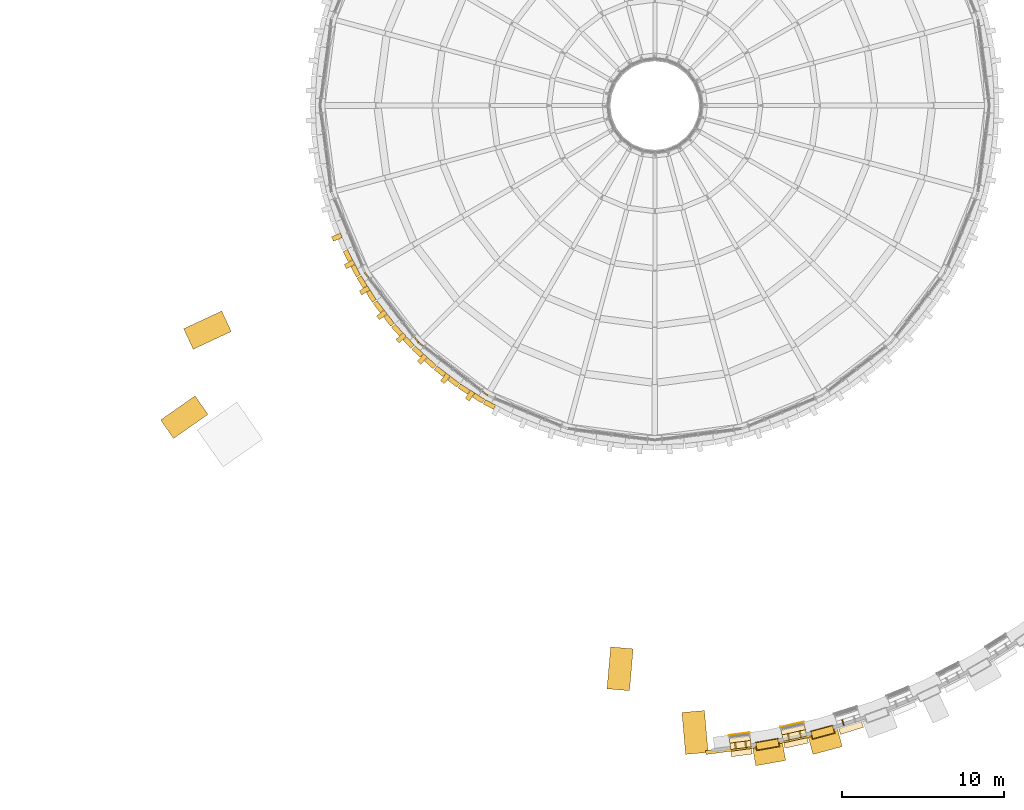
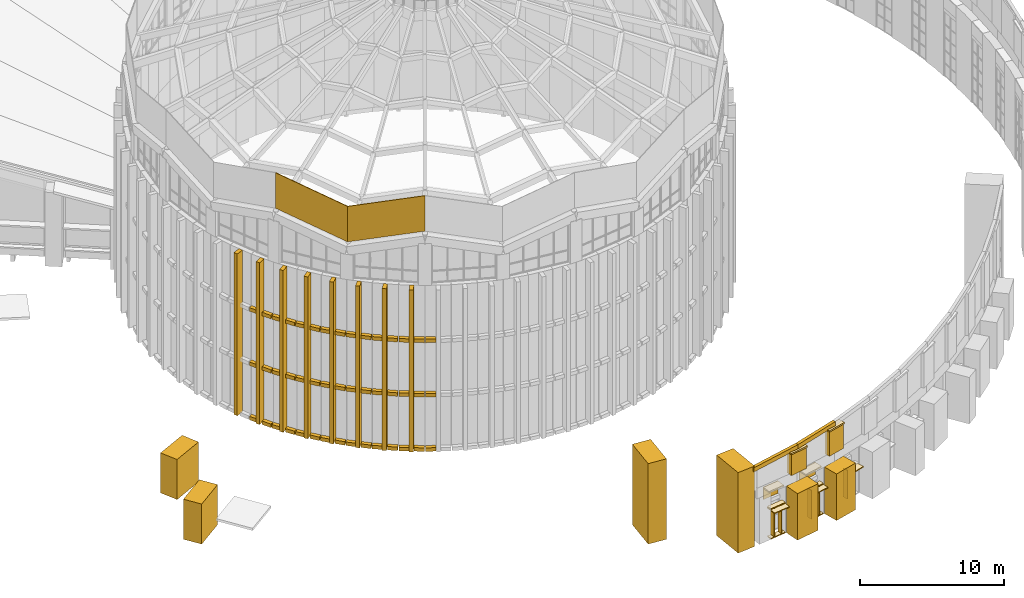
# One storey, part 63 of 82: 83 coverings.
"""IFC4 building model written with IfcOpenShell, lengths in metres."""

from ifc_helpers import new_model, si_unit, direction, frame, origin, origin_2d, place, context, subcontext, project, spatial, polyline, rectangle, outline, extrude, material, layer, layer_set, type_object, element, save


model = new_model("IFC4")

# Units and contexts
model_context = context("Model", 3, precision=1e-05, world=origin(), true_north=direction((0.0, 1.0)))
body_context = subcontext(model_context, "Body", "Model", "MODEL_VIEW")
ifc_project = project(units=[si_unit("LENGTHUNIT", "METRE"), si_unit("AREAUNIT", "SQUARE_METRE"), si_unit("VOLUMEUNIT", "CUBIC_METRE"), si_unit("PLANEANGLEUNIT", "RADIAN"), si_unit("MASSUNIT", "GRAM", prefix="KILO")], contexts=[model_context])

# Site, building, storey
site_placement = place(None, origin())
site = spatial("IfcSite", under=ifc_project, at=site_placement, CompositionType="ELEMENT")
building_placement = place(site_placement, origin())
building = spatial("IfcBuilding", under=site, at=building_placement, Name="Volute Hill Aquarium", CompositionType="ELEMENT")
storey_placement = place(building_placement, frame((0.0, 0.0, 13.800048828125)))
storey = spatial("IfcBuildingStorey", under=building, at=storey_placement, Name="L04", CompositionType="ELEMENT", Elevation=13.800048828125)

# Coverings
ifc_material_1 = material(Name="Precast concrete C40/50", Category="concrete")
covering_type_1 = type_object("IfcCoveringType", Name="Crown coping beam precast concrete C40/50 250x350", PredefinedType="CLADDING", material=ifc_material_1)
covering_1_placement = place(storey_placement, frame((6.995849609375, -39.643798828125, 6.75390625), z_axis=(0.216391405003, -0.976306693535, 0.0), x_axis=(0.972934180126, 0.215643911495, 0.083046881804)))
element("IfcCovering", 1, at=covering_1_placement, inside=storey, type_object=covering_type_1, Name="Crown coping beam PCB S3 b01", PredefinedType="CLADDING", context=body_context, shape_type="SweptSolid", body=[
    extrude(outline(polyline([(0.0, 0.0), (3.5130523932839473, -5.551115123125783e-17), (3.5421269119622676, 0.3488882934054497), (0.02905424356069266, 0.3486449961297137), (0.0, 0.0)])), origin(), (0.0, 0.0, -1.0), 0.25),
])
covering_2_placement = place(storey_placement, frame((6.952392578125, -39.397705078125, 6.75390625), z_axis=(-0.130531588136, 0.991444150973, 0.0), x_axis=(-0.988011665864, -0.130079673893, -0.083139801284)))
element("IfcCovering", 2, at=covering_2_placement, inside=storey, type_object=covering_type_1, Name="Crown coping beam PCB S3 bea", PredefinedType="CLADDING", context=body_context, shape_type="SweptSolid", body=[
    extrude(outline(polyline([(0.0, 0.0), (3.864443473992809, 0.0), (3.8353364244222816, 0.34888558092452326), (-0.02908675176747961, 0.348642285540336), (0.0, 0.0)])), origin(), (0.0, 0.0, -1.0), 0.25),
])
ifc_material_2 = material(Name="Precast pale concrete C40/50", Category="concrete")
covering_type_2 = type_object("IfcCoveringType", Name="Drum pier fin 300x600", PredefinedType="CLADDING", material=ifc_material_2)
for number, where, z_axis, x_axis, name in (
    (3, (-19.660400390625, -8.1435546875, 0.0), (0.0, 0.0, 1.0), (0.382683432365, -0.923879532511, 0.0), "Drum pier fin DF 41 L04"),
    (4, (-18.8759765625, -9.826171875, 0.0), (0.0, 0.0, 1.0), (0.461748613235, -0.887010833178, 0.0), "Drum pier fin DF 42 L04"),
    (5, (-17.947509765625, -11.433837890625, 0.0), (0.0, 0.0, 1.0), (0.537299608347, -0.843391445813, 0.0), "Drum pier fin DF 43 L04"),
    (6, (-16.8828125, -12.95458984375, 0.0), (0.0, 0.0, 1.0), (0.608761429009, -0.793353340291, 0.0), "Drum pier fin DF 44 L04"),
    (7, (-15.689453125, -14.376708984375, 0.0), (0.0, 0.0, 1.0), (0.675590207616, -0.73727733681, 0.0), "Drum pier fin DF 45 L04"),
    (8, (-14.376708984375, -15.689453125, 0.0), (0.0, 0.0, 1.0), (0.73727733681, -0.675590207616, 0.0), "Drum pier fin DF 46 L04"),
    (9, (-12.95458984375, -16.8828125, 0.0), (0.0, 0.0, 1.0), (0.793353340291, -0.608761429009, 0.0), "Drum pier fin DF 47 L04"),
    (10, (-11.433837890625, -17.947509765625, 0.0), (0.0, 0.0, 1.0), (0.843391445813, -0.537299608347, 0.0), "Drum pier fin DF 48 L04"),
):
    element("IfcCovering", number, at=place(storey_placement, frame(where, z_axis=z_axis, x_axis=x_axis)), inside=storey, type_object=covering_type_2, Name=name, PredefinedType="CLADDING", context=body_context, shape_type="SweptSolid", body=[
        extrude(rectangle(XDim=0.300048828125, YDim=0.60009765625, at=origin_2d()), origin(), (0.0, 0.0, 1.0), 13.699951171875),
    ])
ifc_material_3 = material(Name="Precast concrete C40/50", Category="concrete")
covering_type_3 = type_object("IfcCoveringType", Name="Drum string course precast concrete C40/50 715x300", PredefinedType="CLADDING", material=ifc_material_3)
for number, where, z_axis, x_axis, name in (
    (11, (-18.986328125, -9.2890625, -0.14990234375), (0.0, 0.0, 1.0), (0.461748613235, -0.887010833178, 0.0), "Drum string course DSC 42.1"),
    (12, (-18.499267578125, -10.224853515625, -0.14990234375), (0.0, 0.0, 1.0), (0.461748613235, -0.887010833178, 0.0), "Drum string course DSC 42.1"),
    (13, (-18.986328125, -9.2890625, 4.44970703125), (0.0, 0.0, 1.0), (0.461748613235, -0.887010833178, 0.0), "Drum string course DSC 42.2"),
    (14, (-18.499267578125, -10.224853515625, 4.44970703125), (0.0, 0.0, 1.0), (0.461748613235, -0.887010833178, 0.0), "Drum string course DSC 42.2"),
    (15, (-18.986328125, -9.2890625, 9.0498046875), (0.0, 0.0, 1.0), (0.461748613235, -0.887010833178, 0.0), "Drum string course DSC 42.3"),
    (16, (-18.499267578125, -10.224853515625, 9.0498046875), (0.0, 0.0, 1.0), (0.461748613235, -0.887010833178, 0.0), "Drum string course DSC 42.3"),
    (17, (-18.1044921875, -10.908447265625, -0.14990234375), (0.0, 0.0, 1.0), (0.537299608347, -0.843391445813, 0.0), "Drum string course DSC 43.1"),
    (18, (-17.53759765625, -11.798095703125, -0.14990234375), (0.0, 0.0, 1.0), (0.537299608347, -0.843391445813, 0.0), "Drum string course DSC 43.1"),
    (19, (-18.1044921875, -10.908447265625, 4.44970703125), (0.0, 0.0, 1.0), (0.537299608347, -0.843391445813, 0.0), "Drum string course DSC 43.2"),
    (20, (-17.53759765625, -11.798095703125, 4.44970703125), (0.0, 0.0, 1.0), (0.537299608347, -0.843391445813, 0.0), "Drum string course DSC 43.2"),
    (21, (-18.1044921875, -10.908447265625, 9.0498046875), (0.0, 0.0, 1.0), (0.537299608347, -0.843391445813, 0.0), "Drum string course DSC 43.3"),
    (22, (-17.53759765625, -11.798095703125, 9.0498046875), (0.0, 0.0, 1.0), (0.537299608347, -0.843391445813, 0.0), "Drum string course DSC 43.3"),
    (23, (-17.0849609375, -12.44482421875, -0.14990234375), (0.0, 0.0, 1.0), (0.608761429009, -0.793353340291, 0.0), "Drum string course DSC 44.1"),
    (24, (-16.442626953125, -13.28173828125, -0.14990234375), (0.0, 0.0, 1.0), (0.608761429009, -0.793353340291, 0.0), "Drum string course DSC 44.1"),
    (25, (-17.0849609375, -12.44482421875, 4.44970703125), (0.0, 0.0, 1.0), (0.608761429009, -0.793353340291, 0.0), "Drum string course DSC 44.2"),
    (26, (-16.442626953125, -13.28173828125, 4.44970703125), (0.0, 0.0, 1.0), (0.608761429009, -0.793353340291, 0.0), "Drum string course DSC 44.2"),
    (27, (-17.0849609375, -12.44482421875, 9.0498046875), (0.0, 0.0, 1.0), (0.608761429009, -0.793353340291, 0.0), "Drum string course DSC 44.3"),
    (28, (-16.442626953125, -13.28173828125, 9.0498046875), (0.0, 0.0, 1.0), (0.608761429009, -0.793353340291, 0.0), "Drum string course DSC 44.3"),
    (29, (-15.935302734375, -13.886474609375, -0.14990234375), (0.0, 0.0, 1.0), (0.675590207616, -0.73727733681, 0.0), "Drum string course DSC 45.1"),
    (30, (-15.22265625, -14.664306640625, -0.14990234375), (0.0, 0.0, 1.0), (0.675590207616, -0.73727733681, 0.0), "Drum string course DSC 45.1"),
    (31, (-15.935302734375, -13.886474609375, 4.44970703125), (0.0, 0.0, 1.0), (0.675590207616, -0.73727733681, 0.0), "Drum string course DSC 45.2"),
    (32, (-15.22265625, -14.664306640625, 4.44970703125), (0.0, 0.0, 1.0), (0.675590207616, -0.73727733681, 0.0), "Drum string course DSC 45.2"),
    (33, (-15.935302734375, -13.886474609375, 9.0498046875), (0.0, 0.0, 1.0), (0.675590207616, -0.73727733681, 0.0), "Drum string course DSC 45.3"),
    (34, (-15.22265625, -14.664306640625, 9.0498046875), (0.0, 0.0, 1.0), (0.675590207616, -0.73727733681, 0.0), "Drum string course DSC 45.3"),
    (35, (-14.664306640625, -15.22265625, -0.14990234375), (0.0, 0.0, 1.0), (0.73727733681, -0.675590207616, 0.0), "Drum string course DSC 46.1"),
    (36, (-13.886474609375, -15.935302734375, -0.14990234375), (0.0, 0.0, 1.0), (0.73727733681, -0.675590207616, 0.0), "Drum string course DSC 46.1"),
    (37, (-14.664306640625, -15.22265625, 4.44970703125), (0.0, 0.0, 1.0), (0.73727733681, -0.675590207616, 0.0), "Drum string course DSC 46.2"),
    (38, (-13.886474609375, -15.935302734375, 4.44970703125), (0.0, 0.0, 1.0), (0.73727733681, -0.675590207616, 0.0), "Drum string course DSC 46.2"),
    (39, (-14.664306640625, -15.22265625, 9.0498046875), (0.0, 0.0, 1.0), (0.73727733681, -0.675590207616, 0.0), "Drum string course DSC 46.3"),
    (40, (-13.886474609375, -15.935302734375, 9.0498046875), (0.0, 0.0, 1.0), (0.73727733681, -0.675590207616, 0.0), "Drum string course DSC 46.3"),
    (41, (-13.28173828125, -16.442626953125, -0.14990234375), (0.0, 0.0, 1.0), (0.793353340291, -0.608761429009, 0.0), "Drum string course DSC 47.1"),
    (42, (-12.44482421875, -17.0849609375, -0.14990234375), (0.0, 0.0, 1.0), (0.793353340291, -0.608761429009, 0.0), "Drum string course DSC 47.1"),
    (43, (-13.28173828125, -16.442626953125, 4.44970703125), (0.0, 0.0, 1.0), (0.793353340291, -0.608761429009, 0.0), "Drum string course DSC 47.2"),
    (44, (-12.44482421875, -17.0849609375, 4.44970703125), (0.0, 0.0, 1.0), (0.793353340291, -0.608761429009, 0.0), "Drum string course DSC 47.2"),
    (45, (-13.28173828125, -16.442626953125, 9.0498046875), (0.0, 0.0, 1.0), (0.793353340291, -0.608761429009, 0.0), "Drum string course DSC 47.3"),
    (46, (-12.44482421875, -17.0849609375, 9.0498046875), (0.0, 0.0, 1.0), (0.793353340291, -0.608761429009, 0.0), "Drum string course DSC 47.3"),
    (47, (-11.798095703125, -17.53759765625, -0.14990234375), (0.0, 0.0, 1.0), (0.843391445813, -0.537299608347, 0.0), "Drum string course DSC 48.1"),
    (48, (-10.908447265625, -18.1044921875, -0.14990234375), (0.0, 0.0, 1.0), (0.843391445813, -0.537299608347, 0.0), "Drum string course DSC 48.1"),
    (49, (-11.798095703125, -17.53759765625, 4.44970703125), (0.0, 0.0, 1.0), (0.843391445813, -0.537299608347, 0.0), "Drum string course DSC 48.2"),
    (50, (-10.908447265625, -18.1044921875, 4.44970703125), (0.0, 0.0, 1.0), (0.843391445813, -0.537299608347, 0.0), "Drum string course DSC 48.2"),
    (51, (-11.798095703125, -17.53759765625, 9.0498046875), (0.0, 0.0, 1.0), (0.843391445813, -0.537299608347, 0.0), "Drum string course DSC 48.3"),
    (52, (-10.908447265625, -18.1044921875, 9.0498046875), (0.0, 0.0, 1.0), (0.843391445813, -0.537299608347, 0.0), "Drum string course DSC 48.3"),
    (53, (-10.224853515625, -18.499267578125, -0.14990234375), (0.0, 0.0, 1.0), (0.887010833178, -0.461748613235, 0.0), "Drum string course DSC 49.1"),
    (54, (-10.224853515625, -18.499267578125, 4.44970703125), (0.0, 0.0, 1.0), (0.887010833178, -0.461748613235, 0.0), "Drum string course DSC 49.2"),
    (55, (-10.224853515625, -18.499267578125, 9.0498046875), (0.0, 0.0, 1.0), (0.887010833178, -0.461748613235, 0.0), "Drum string course DSC 49.3"),
):
    element("IfcCovering", number, at=place(storey_placement, frame(where, z_axis=z_axis, x_axis=x_axis)), inside=storey, type_object=covering_type_3, Name=name, PredefinedType="CLADDING", context=body_context, shape_type="SweptSolid", body=[
        extrude(rectangle(XDim=0.71484375, YDim=0.300048828125, at=origin_2d()), origin(), (0.0, 0.0, 1.0), 0.300048828125),
    ])
ifc_material_4 = material(Name="Zinc")
ifc_layer_1 = layer(ifc_material_4, 0.06005859375)
ifc_layer_set_1 = layer_set([ifc_layer_1], Name="Eave fascia zinc 60")
covering_type_4 = type_object("IfcCoveringType", Name="Eave fascia zinc 60", PredefinedType="CLADDING", material=ifc_layer_set_1)
covering_3_placement = place(storey_placement, frame((-17.950439453125, -10.368408203125, 18.099853515625), z_axis=(-0.793359055165, -0.608753981167, 0.0), x_axis=(0.58930025924, -0.768005978347, -0.250782817759)))
element("IfcCovering", 56, at=covering_3_placement, inside=storey, type_object=covering_type_4, Name="Eave fascia EF 15", PredefinedType="CLADDING", context=body_context, shape_type="SweptSolid", body=[
    extrude(outline(polyline([(0.0, 0.0), (5.582130212353714, -2.220446049250313e-16), (4.829781759077633, 2.9041301287740344), (-0.7523484532760814, 2.904130128774035), (0.0, 0.0)])), origin(), (0.0, 0.0, -1.0), 0.06005859375),
])
covering_4_placement = place(storey_placement, frame((-14.655517578125, -14.660888671875, 16.699951171875), z_axis=(-0.608753981167, -0.793359055165, 0.0), x_axis=(0.768005978347, -0.58930025924, 0.250782817759)))
element("IfcCovering", 57, at=covering_4_placement, inside=storey, type_object=covering_type_4, Name="Eave fascia EF 16", PredefinedType="CLADDING", context=body_context, shape_type="SweptSolid", body=[
    extrude(outline(polyline([(0.0, 0.0), (5.582130212353714, 2.220446049250313e-16), (6.3344786656297964, 2.9041301287740353), (0.7523484532760814, 2.904130128774035), (0.0, 0.0)])), origin(), (0.0, 0.0, -1.0), 0.06005859375),
])
ifc_material_5 = material(Name="Aluminium, anodised", Category="aluminium")
ifc_layer_2 = layer(ifc_material_5, 0.080078125)
ifc_layer_set_2 = layer_set([ifc_layer_2], Name="Horizontal brise-soleil eyebrow 900x80")
covering_type_5 = type_object("IfcCoveringType", Name="Horizontal brise-soleil eyebrow 900x80", PredefinedType="CLADDING", material=ifc_layer_set_2)
covering_5_placement = place(storey_placement, frame((5.3349609375, -39.756103515625, 2.4072265625), z_axis=(0.0, 0.0, 1.0), x_axis=(0.991446923126, 0.130510530703, 0.0)))
element("IfcCovering", 58, at=covering_5_placement, inside=storey, type_object=covering_type_5, Name="Brise-soleil eyebrow BS S3 L04 1.1", PredefinedType="CLADDING", context=body_context, shape_type="SweptSolid", body=[
    extrude(rectangle(XDim=1.2890625, YDim=0.89990234375, at=origin_2d()), origin(), (0.0, 0.0, 1.0), 0.080078125),
])
for number, where, z_axis, x_axis, name in (
    (59, (8.681884765625, -39.161376953125, 2.417236328125), (0.0, 0.0, 1.0), (0.976296993237, 0.216435165805, 0.0), "Brise-soleil eyebrow BS S3 L04 2.1"),
    (60, (12.06201171875, -38.255859375, 2.405029296875), (0.0, 0.0, 1.0), (0.953713922474, 0.300715403793, 0.0), "Brise-soleil eyebrow BS S3 L04 3.1"),
):
    element("IfcCovering", number, at=place(storey_placement, frame(where, z_axis=z_axis, x_axis=x_axis)), inside=storey, type_object=covering_type_5, Name=name, PredefinedType="CLADDING", context=body_context, shape_type="SweptSolid", body=[
        extrude(rectangle(XDim=1.4892578125, YDim=0.89990234375, at=origin_2d()), origin(), (0.0, 0.0, 1.0), 0.080078125),
    ])
ifc_material_6 = material(Name="Precast concrete C40/50", Category="concrete")
ifc_layer_3 = layer(ifc_material_6, 0.10009765625)
ifc_layer_set_3 = layer_set([ifc_layer_3], Name="Niche cap precast concrete C40/50 100")
covering_type_6 = type_object("IfcCoveringType", Name="Niche cap precast concrete C40/50 100", PredefinedType="CLADDING", material=ifc_layer_set_3)
covering_6_placement = place(storey_placement, frame((5.266357421875, -39.235595703125, 3.841796875), z_axis=(0.0, 0.0, 1.0), x_axis=(0.991446923126, 0.130510530703, 0.0)))
element("IfcCovering", 61, at=covering_6_placement, inside=storey, type_object=covering_type_6, Name="Niche cap NC S3 L04 1", PredefinedType="CLADDING", context=body_context, shape_type="SweptSolid", body=[
    extrude(rectangle(XDim=1.2890625, YDim=0.64990234375, at=origin_2d()), origin(), (0.0, 0.0, 1.0), 0.10009765625),
])
covering_7_placement = place(storey_placement, frame((8.568115234375, -38.64892578125, 3.841796875), z_axis=(0.0, 0.0, 1.0), x_axis=(0.976296993237, 0.216435165805, 0.0)))
element("IfcCovering", 62, at=covering_7_placement, inside=storey, type_object=covering_type_6, Name="Niche cap NC S3 L04 2", PredefinedType="CLADDING", context=body_context, shape_type="SweptSolid", body=[
    extrude(rectangle(XDim=1.4892578125, YDim=0.64990234375, at=origin_2d()), origin(), (0.0, 0.0, 1.0), 0.10009765625),
])
ifc_material_7 = material(Name="Zinc")
ifc_layer_4 = layer(ifc_material_7, 0.050048828125)
ifc_layer_set_4 = layer_set([ifc_layer_4], Name="Niche head cladding panel 50")
covering_type_7 = type_object("IfcCoveringType", Name="Niche head cladding panel 50", PredefinedType="CLADDING", material=ifc_layer_set_4)
covering_8_placement = place(storey_placement, frame((5.220703125, -38.888427734375, 2.89697265625), z_axis=(0.0, 0.0, 1.0), x_axis=(0.991446923126, 0.130510530703, 0.0)))
element("IfcCovering", 63, at=covering_8_placement, inside=storey, type_object=covering_type_7, Name="Niche head cladding NF S3 L04 1", PredefinedType="CLADDING", context=body_context, shape_type="SweptSolid", body=[
    extrude(rectangle(XDim=1.2890625, YDim=0.050048828125, at=origin_2d()), origin(), (0.0, 0.0, 1.0), 1.044677734375),
])
covering_9_placement = place(storey_placement, frame((8.492431640625, -38.30712890625, 2.9072265625), z_axis=(0.0, 0.0, 1.0), x_axis=(0.976296993237, 0.216435165805, 0.0)))
element("IfcCovering", 64, at=covering_9_placement, inside=storey, type_object=covering_type_7, Name="Niche head cladding NF S3 L04 2", PredefinedType="CLADDING", context=body_context, shape_type="SweptSolid", body=[
    extrude(rectangle(XDim=1.4892578125, YDim=0.050048828125, at=origin_2d()), origin(), (0.0, 0.0, 1.0), 1.034423828125),
])
ifc_material_8 = material(Name="Precast concrete C40/50", Category="concrete")
ifc_layer_5 = layer(ifc_material_8, 0.1201171875)
ifc_layer_set_5 = layer_set([ifc_layer_5], Name="Pier crown coping precast concrete C40/50 1482x550")
covering_type_8 = type_object("IfcCoveringType", Name="Pier crown coping precast concrete C40/50 1482x550", PredefinedType="CLADDING", material=ifc_layer_set_5)
for number, where, z_axis, x_axis, name in (
    (65, (6.96875, -39.521728515625, 6.6337890625), (0.0, 0.0, 1.0), (0.984807753012, 0.173648177667, 0.0), "Pier crown coping PCC S3 1"),
    (66, (10.38671875, -38.76416015625, 6.92578125), (0.0, 0.0, 1.0), (0.965925826289, 0.258819045103, 0.0), "Pier crown coping PCC S3 2"),
):
    element("IfcCovering", number, at=place(storey_placement, frame(where, z_axis=z_axis, x_axis=x_axis)), inside=storey, type_object=covering_type_8, Name=name, PredefinedType="CLADDING", context=body_context, shape_type="SweptSolid", body=[
        extrude(rectangle(XDim=1.48193359375, YDim=0.550048828125, at=origin_2d()), origin(), (0.0, 0.0, 1.0), 0.1201171875),
    ])
ifc_material_9 = material(Name="Precast concrete C40/50", Category="concrete")
covering_type_9 = type_object("IfcCoveringType", Name="Pier crown fin precast concrete C40/50 1382x450", PredefinedType="CLADDING", material=ifc_material_9)
covering_10_placement = place(storey_placement, frame((6.96875, -39.521728515625, 4.841796875), z_axis=(0.0, 0.0, 1.0), x_axis=(0.984807753012, 0.173648177667, 0.0)))
element("IfcCovering", 67, at=covering_10_placement, inside=storey, type_object=covering_type_9, Name="Pier crown fin PC S3 1", PredefinedType="CLADDING", context=body_context, shape_type="SweptSolid", body=[
    extrude(rectangle(XDim=1.3818359375, YDim=0.449951171875, at=origin_2d()), origin(), (0.0, 0.0, 1.0), 1.7919921875),
])
covering_11_placement = place(storey_placement, frame((10.38671875, -38.76416015625, 4.841796875), z_axis=(0.0, 0.0, 1.0), x_axis=(0.965925826289, 0.258819045103, 0.0)))
element("IfcCovering", 68, at=covering_11_placement, inside=storey, type_object=covering_type_9, Name="Pier crown fin PC S3 2", PredefinedType="CLADDING", context=body_context, shape_type="SweptSolid", body=[
    extrude(rectangle(XDim=1.3818359375, YDim=0.449951171875, at=origin_2d()), origin(), (0.0, 0.0, 1.0), 2.083984375),
])
ifc_material_10 = material(Name="Precast concrete C40/50", Category="concrete")
covering_type_10 = type_object("IfcCoveringType", Name="Projecting pier precast concrete C40/50 1875x1200", PredefinedType="CLADDING", material=ifc_material_10)
for number, where, z_axis, x_axis, name in (
    (69, (7.068603515625, -40.088134765625, 0.0), (0.0, 0.0, 1.0), (0.984807753012, 0.173648177667, 0.0), "Projecting pier PP S3 L04 1"),
    (70, (10.53564453125, -39.319580078125, 0.0), (0.0, 0.0, 1.0), (0.965925826289, 0.258819045103, 0.0), "Projecting pier PP S3 L04 2"),
):
    element("IfcCovering", number, at=place(storey_placement, frame(where, z_axis=z_axis, x_axis=x_axis)), inside=storey, type_object=covering_type_10, Name=name, PredefinedType="CLADDING", context=body_context, shape_type="SweptSolid", body=[
        extrude(rectangle(XDim=1.87548828125, YDim=1.199951171875, at=origin_2d()), origin(), (0.0, 0.0, 1.0), 3.94189453125),
    ])
ifc_material_11 = material(Name="Precast concrete C40/50", Category="concrete")
covering_type_11 = type_object("IfcCoveringType", Name="Step pylon precast concrete C40/50 1400x2600", PredefinedType="CLADDING", material=ifc_material_11)
for number, where, z_axis, x_axis, name in (
    (71, (-27.669921875, -13.895751953125, 0.0), (0.0, 0.0, 1.0), (-0.906307787037, -0.422618261741, 0.0), "Step pylon SPY S1B L04"),
    (72, (-29.104736328125, -19.280517578125, 0.0), (0.0, 0.0, 1.0), (-0.819152044289, -0.573576436351, 0.0), "Step pylon SPY S2A L04"),
):
    element("IfcCovering", number, at=place(storey_placement, frame(where, z_axis=z_axis, x_axis=x_axis)), inside=storey, type_object=covering_type_11, Name=name, PredefinedType="CLADDING", context=body_context, shape_type="SweptSolid", body=[
        extrude(rectangle(XDim=2.60009765625, YDim=1.39990234375, at=origin_2d()), origin(), (0.0, 0.0, 1.0), 3.392578125),
    ])
for number, where, z_axis, x_axis, name in (
    (73, (-2.14501953125, -34.845703125, 0.0), (0.0, 0.0, 1.0), (-0.087155742748, -0.996194698092, 0.0), "Step pylon SPY S2B L04"),
    (74, (2.489501953125, -38.78076171875, 0.0), (0.0, 0.0, 1.0), (0.087155742748, -0.996194698092, 0.0), "Step pylon SPY S3A L04"),
):
    element("IfcCovering", number, at=place(storey_placement, frame(where, z_axis=z_axis, x_axis=x_axis)), inside=storey, type_object=covering_type_11, Name=name, PredefinedType="CLADDING", context=body_context, shape_type="SweptSolid", body=[
        extrude(rectangle(XDim=2.60009765625, YDim=1.39990234375, at=origin_2d()), origin(), (0.0, 0.0, 1.0), 6.81201171875),
    ])
ifc_material_12 = material(Name="Timber, thermally modified ash", Category="wood")
covering_type_12 = type_object("IfcCoveringType", Name="Timber louvre fin 60x400", PredefinedType="CLADDING", material=ifc_material_12)
for number, where, z_axis, x_axis, name in (
    (75, (4.9892578125, -39.599853515625, 0.080078125), (0.0, 0.0, 1.0), (0.991446923126, 0.130510530703, 0.0), "Timber louvre fin S3 L04 1.1.1"),
    (76, (5.62841796875, -39.515625, 0.080078125), (0.0, 0.0, 1.0), (0.991446923126, 0.130510530703, 0.0), "Timber louvre fin S3 L04 1.1.2"),
):
    element("IfcCovering", number, at=place(storey_placement, frame(where, z_axis=z_axis, x_axis=x_axis)), inside=storey, type_object=covering_type_12, Name=name, PredefinedType="CLADDING", context=body_context, shape_type="SweptSolid", body=[
        extrude(rectangle(XDim=0.06005859375, YDim=0.39990234375, at=origin_2d()), origin(), (0.0, 0.0, 1.0), 2.437255859375),
    ])
for number, where, z_axis, x_axis, name in (
    (77, (8.275146484375, -39.046875, 0.080078125), (0.0, 0.0, 1.0), (0.976296993237, 0.216435165805, 0.0), "Timber louvre fin S3 L04 2.1.1"),
    (78, (9.001953125, -38.885498046875, 0.080078125), (0.0, 0.0, 1.0), (0.976296993237, 0.216435165805, 0.0), "Timber louvre fin S3 L04 2.1.2"),
):
    element("IfcCovering", number, at=place(storey_placement, frame(where, z_axis=z_axis, x_axis=x_axis)), inside=storey, type_object=covering_type_12, Name=name, PredefinedType="CLADDING", context=body_context, shape_type="SweptSolid", body=[
        extrude(rectangle(XDim=0.06005859375, YDim=0.39990234375, at=origin_2d()), origin(), (0.0, 0.0, 1.0), 2.447509765625),
    ])
covering_12_placement = place(storey_placement, frame((11.646728515625, -38.177001953125, 0.079833984375), z_axis=(0.0, 0.0, 1.0), x_axis=(0.953713922474, 0.300715403793, 0.0)))
element("IfcCovering", 79, at=covering_12_placement, inside=storey, type_object=covering_type_12, Name="Timber louvre fin S3 L04 3.1.1", PredefinedType="CLADDING", context=body_context, shape_type="SweptSolid", body=[
    extrude(rectangle(XDim=0.06005859375, YDim=0.39990234375, at=origin_2d()), origin(), (0.0, 0.0, 1.0), 2.43505859375),
])
ifc_material_13 = material(Name="Timber, thermally modified ash", Category="wood")
covering_type_13 = type_object("IfcCoveringType", Name="Timber louvre fin rail 400x80", PredefinedType="CLADDING", material=ifc_material_13)
for number, where, z_axis, x_axis, name in (
    (80, (5.308837890625, -39.5576171875, 0.0), (0.0, 0.0, 1.0), (0.991446923126, 0.130510530703, 0.0), "Timber louvre fin rail S3 L04 1.1"),
    (81, (5.308837890625, -39.5576171875, 2.51708984375), (0.0, 0.0, 1.0), (0.991446923126, 0.130510530703, 0.0), "Timber louvre fin rail S3 L04 1.2"),
):
    element("IfcCovering", number, at=place(storey_placement, frame(where, z_axis=z_axis, x_axis=x_axis)), inside=storey, type_object=covering_type_13, Name=name, PredefinedType="CLADDING", context=body_context, shape_type="SweptSolid", body=[
        extrude(rectangle(XDim=1.2890625, YDim=0.39990234375, at=origin_2d()), origin(), (0.0, 0.0, 1.0), 0.080078125),
    ])
for number, where, z_axis, x_axis, name in (
    (82, (8.638427734375, -38.966064453125, 0.0), (0.0, 0.0, 1.0), (0.976296993237, 0.216435165805, 0.0), "Timber louvre fin rail S3 L04 2.1"),
    (83, (8.638427734375, -38.966064453125, 2.52734375), (0.0, 0.0, 1.0), (0.976296993237, 0.216435165805, 0.0), "Timber louvre fin rail S3 L04 2.2"),
):
    element("IfcCovering", number, at=place(storey_placement, frame(where, z_axis=z_axis, x_axis=x_axis)), inside=storey, type_object=covering_type_13, Name=name, PredefinedType="CLADDING", context=body_context, shape_type="SweptSolid", body=[
        extrude(rectangle(XDim=1.4892578125, YDim=0.39990234375, at=origin_2d()), origin(), (0.0, 0.0, 1.0), 0.080078125),
    ])

save(model, "model.ifc")
